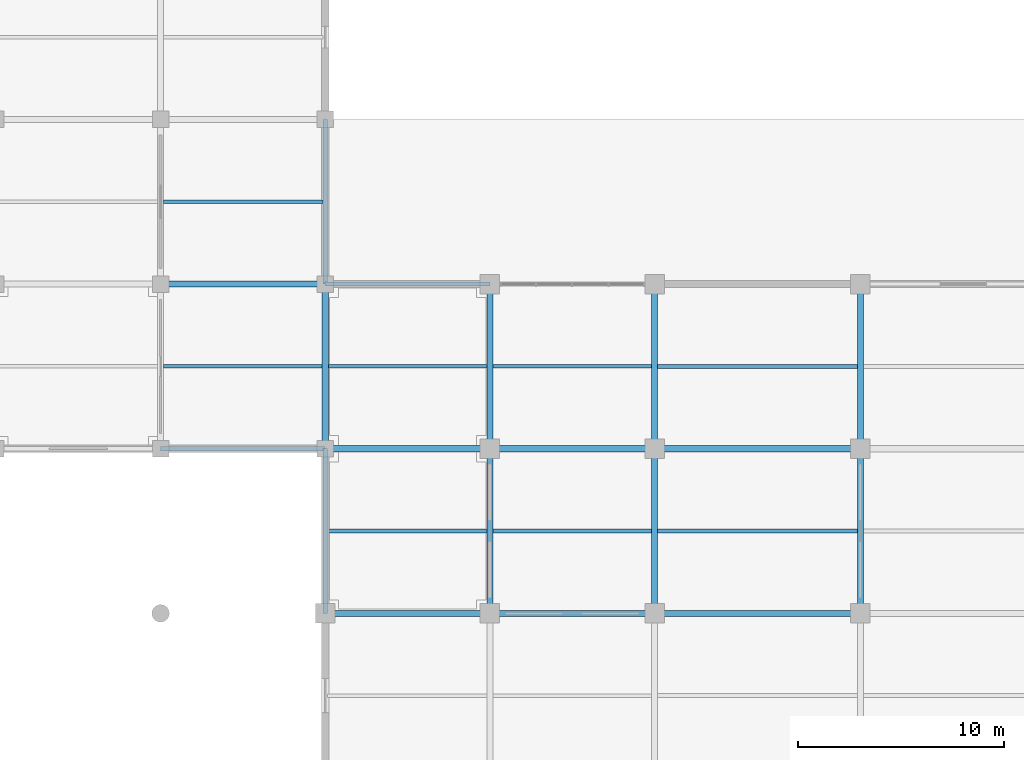
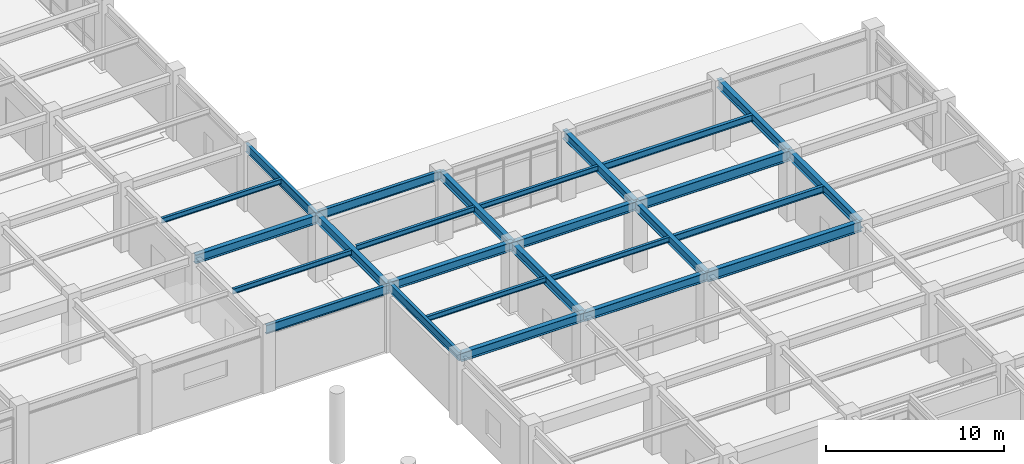
# One storey, part 50 of 109: 26 beams.
"""IFC4 building model written with IfcOpenShell, lengths in metres."""

from ifc_helpers import new_model, si_unit, direction, frame, origin, origin_2d, place, context, subcontext, project, spatial, i_section, extrude, material, material_profile, profile_set, type_object, element, save


model = new_model("IFC4")

# Units and contexts
model_context = context("Model", 3, precision=1e-05, world=origin(), true_north=direction((0.0, 1.0)))
body_context = subcontext(model_context, "Body", "Model", "MODEL_VIEW")
ifc_project = project(units=[si_unit("LENGTHUNIT", "METRE"), si_unit("AREAUNIT", "SQUARE_METRE"), si_unit("VOLUMEUNIT", "CUBIC_METRE"), si_unit("PLANEANGLEUNIT", "RADIAN"), si_unit("MASSUNIT", "GRAM", prefix="KILO")], contexts=[model_context])

# Site, building, storey
site_placement = place(None, origin())
site = spatial("IfcSite", under=ifc_project, at=site_placement, CompositionType="ELEMENT")
building_placement = place(site_placement, origin())
building = spatial("IfcBuilding", under=site, at=building_placement, Name="Haebicheon Civic Stadium", CompositionType="ELEMENT")
storey_placement = place(building_placement, frame((0.0, 0.0, 9.60009765625)))
storey = spatial("IfcBuildingStorey", under=building, at=storey_placement, Name="L03", CompositionType="ELEMENT", Elevation=9.60009765625)

# Beams
ifc_material_1 = material(Name="Steel SM355 (S355)", Category="steel")
ifc_material_profile_1 = material_profile(ifc_material_1, i_section(OverallWidth=0.300048828125, OverallDepth=0.60009765625, WebThickness=0.011962890625, FlangeThickness=0.02001953125, at=origin_2d()), Name="H-600x300x12x20")
ifc_profile_set_1 = profile_set([ifc_material_profile_1], Name="Steel SM355 (S355)")
beam_type_1 = type_object("IfcBeamType", Name="BM-ST-H600A", PredefinedType="BEAM", material=ifc_profile_set_1)
for number, where, z_axis, x_axis, name in (
    (1, (200.0, 136.0, 4.099853515625), (0.0, 1.0, 0.0), (-1.0, 0.0, 0.0), "L03 girder 26/T-U"),
    (2, (208.0, 128.0, 4.239990234375), (0.0, 1.0, 0.0), (-1.0, 0.0, 0.0), "L03 girder 27/S-T"),
    (3, (208.0, 136.0, 4.27978515625), (0.0, 1.0, 0.0), (-1.0, 0.0, 0.0), "L03 girder 27/T-U"),
    (4, (216.0, 128.0, 4.239990234375), (0.0, 1.0, 0.0), (-1.0, 0.0, 0.0), "L03 girder 28/S-T"),
    (5, (216.0, 136.0, 4.27978515625), (0.0, 1.0, 0.0), (-1.0, 0.0, 0.0), "L03 girder 28/T-U"),
    (6, (226.0, 128.0, 4.239990234375), (0.0, 1.0, 0.0), (-1.0, 0.0, 0.0), "L03 girder 29/S-T"),
    (7, (226.0, 136.0, 4.27978515625), (0.0, 1.0, 0.0), (-1.0, 0.0, 0.0), "L03 girder 29/T-U"),
    (8, (192.0, 144.0, 4.099853515625), (1.0, 0.0, 0.0), (0.0, 1.0, 0.0), "L03 beam U/25-26"),
    (9, (200.0, 128.0, 4.27978515625), (1.0, 0.0, 0.0), (0.0, 1.0, 0.0), "L03 beam S/26-27"),
    (10, (200.0, 136.0, 4.27978515625), (1.0, 0.0, 0.0), (0.0, 1.0, 0.0), "L03 beam T/26-27"),
    (11, (208.0, 128.0, 4.239990234375), (1.0, 0.0, 0.0), (0.0, 1.0, 0.0), "L03 beam S/27-28"),
    (12, (208.0, 136.0, 4.239990234375), (1.0, 0.0, 0.0), (0.0, 1.0, 0.0), "L03 beam T/27-28"),
):
    element("IfcBeam", number, at=place(storey_placement, frame(where, z_axis=z_axis, x_axis=x_axis)), inside=storey, type_object=beam_type_1, material=ifc_profile_set_1, Name=name, PredefinedType="BEAM", context=body_context, shape_type="SweptSolid", body=[
        extrude(i_section(OverallWidth=0.300048828125, OverallDepth=0.60009765625, WebThickness=0.011962890625, FlangeThickness=0.02001953125, at=origin_2d()), origin(), (0.0, 0.0, 1.0), 8.0),
    ])
ifc_material_2 = material(Name="Steel SM490", Category="steel")
ifc_material_profile_2 = material_profile(ifc_material_2, i_section(OverallWidth=0.300048828125, OverallDepth=0.699951171875, WebThickness=0.012939453125, FlangeThickness=0.02392578125, at=origin_2d()), Name="H-700x300x13x24")
ifc_profile_set_2 = profile_set([ifc_material_profile_2], Name="Steel SM490")
beam_type_2 = type_object("IfcBeamType", Name="BM-ST-H700", PredefinedType="BEAM", material=ifc_profile_set_2)
for number, where, z_axis, x_axis, name in (
    (13, (216.0, 128.0, 4.18994140625), (1.0, 0.0, 0.0), (0.0, 1.0, 0.0), "L03 beam S/28-29"),
    (14, (216.0, 136.0, 4.18994140625), (1.0, 0.0, 0.0), (0.0, 1.0, 0.0), "L03 beam T/28-29"),
):
    element("IfcBeam", number, at=place(storey_placement, frame(where, z_axis=z_axis, x_axis=x_axis)), inside=storey, type_object=beam_type_2, material=ifc_profile_set_2, Name=name, PredefinedType="BEAM", context=body_context, shape_type="SweptSolid", body=[
        extrude(i_section(OverallWidth=0.300048828125, OverallDepth=0.699951171875, WebThickness=0.012939453125, FlangeThickness=0.02392578125, at=origin_2d()), origin(), (0.0, 0.0, 1.0), 10.0),
    ])
ifc_material_3 = material(Name="Steel SM355 (S355)", Category="steel")
ifc_material_profile_3 = material_profile(ifc_material_3, i_section(OverallWidth=0.175048828125, OverallDepth=0.35009765625, WebThickness=0.007080078125, FlangeThickness=0.010986328125, at=origin_2d()), Name="H-350x175x7x11")
ifc_profile_set_3 = profile_set([ifc_material_profile_3], Name="Steel SM355 (S355)")
beam_type_3 = type_object("IfcBeamType", Name="JST-ST-H350", PredefinedType="JOIST", material=ifc_profile_set_3)
beam_placement = place(storey_placement, frame((192.14990234375, 140.0, 4.224853515625), z_axis=(1.0, 0.0, 0.0), x_axis=(0.0, 1.0, 0.0)))
element("IfcBeam", 15, at=beam_placement, inside=storey, type_object=beam_type_3, material=ifc_profile_set_3, Name="L03 secondary joist 24-17", PredefinedType="JOIST", context=body_context, shape_type="SweptSolid", body=[
    extrude(i_section(OverallWidth=0.175048828125, OverallDepth=0.35009765625, WebThickness=0.007080078125, FlangeThickness=0.010986328125, at=origin_2d()), origin(), (0.0, 0.0, 1.0), 7.7001953125),
])
for number, where, z_axis, x_axis, name in (
    (16, (192.14990234375, 148.0, 4.224853515625), (1.0, 0.0, 0.0), (0.0, 1.0, 0.0), "L03 secondary joist 24-18"),
    (17, (200.10009765625, 132.0, 4.40478515625), (1.0, 0.0, 0.0), (0.0, 1.0, 0.0), "L03 secondary joist 25-16"),
):
    element("IfcBeam", number, at=place(storey_placement, frame(where, z_axis=z_axis, x_axis=x_axis)), inside=storey, type_object=beam_type_3, material=ifc_profile_set_3, Name=name, PredefinedType="JOIST", context=body_context, shape_type="SweptSolid", body=[
        extrude(i_section(OverallWidth=0.175048828125, OverallDepth=0.35009765625, WebThickness=0.007080078125, FlangeThickness=0.010986328125, at=origin_2d()), origin(), (0.0, 0.0, 1.0), 7.75),
    ])
for number, where, z_axis, x_axis, name in (
    (18, (200.14990234375, 140.0, 4.40478515625), (1.0, 0.0, 0.0), (0.0, 1.0, 0.0), "L03 secondary joist 25-17"),
    (19, (208.14990234375, 132.0, 4.364990234375), (1.0, 0.0, 0.0), (0.0, 1.0, 0.0), "L03 secondary joist 26-16"),
    (20, (208.14990234375, 140.0, 4.40478515625), (1.0, 0.0, 0.0), (0.0, 1.0, 0.0), "L03 secondary joist 26-17"),
):
    element("IfcBeam", number, at=place(storey_placement, frame(where, z_axis=z_axis, x_axis=x_axis)), inside=storey, type_object=beam_type_3, material=ifc_profile_set_3, Name=name, PredefinedType="JOIST", context=body_context, shape_type="SweptSolid", body=[
        extrude(i_section(OverallWidth=0.175048828125, OverallDepth=0.35009765625, WebThickness=0.007080078125, FlangeThickness=0.010986328125, at=origin_2d()), origin(), (0.0, 0.0, 1.0), 7.7001953125),
    ])
ifc_material_4 = material(Name="Steel SM355 (S355)", Category="steel")
ifc_material_profile_4 = material_profile(ifc_material_4, i_section(OverallWidth=0.199951171875, OverallDepth=0.449951171875, WebThickness=0.009033203125, FlangeThickness=0.013916015625, at=origin_2d()), Name="H-450x200x9x14")
ifc_profile_set_4 = profile_set([ifc_material_profile_4], Name="Steel SM355 (S355)")
beam_type_4 = type_object("IfcBeamType", Name="JST-ST-H450", PredefinedType="JOIST", material=ifc_profile_set_4)
for number, where, z_axis, x_axis, name in (
    (21, (216.14990234375, 132.0, 4.31494140625), (1.0, 0.0, 0.0), (0.0, 1.0, 0.0), "L03 secondary joist 27-16"),
    (22, (216.14990234375, 140.0, 4.35498046875), (1.0, 0.0, 0.0), (0.0, 1.0, 0.0), "L03 secondary joist 27-17"),
):
    element("IfcBeam", number, at=place(storey_placement, frame(where, z_axis=z_axis, x_axis=x_axis)), inside=storey, type_object=beam_type_4, material=ifc_profile_set_4, Name=name, PredefinedType="JOIST", context=body_context, shape_type="SweptSolid", body=[
        extrude(i_section(OverallWidth=0.199951171875, OverallDepth=0.449951171875, WebThickness=0.009033203125, FlangeThickness=0.013916015625, at=origin_2d()), origin(), (0.0, 0.0, 1.0), 9.7001953125),
    ])
ifc_material_5 = material(Name="Steel SM355 (S355)", Category="steel")
ifc_material_profile_5 = material_profile(ifc_material_5, i_section(OverallWidth=0.199951171875, OverallDepth=0.60009765625, WebThickness=0.010986328125, FlangeThickness=0.01708984375, at=origin_2d()), Name="H-600x200x11x17")
ifc_profile_set_5 = profile_set([ifc_material_profile_5], Name="Steel SM355 (S355)")
beam_type_5 = type_object("IfcBeamType", Name="SPD-ST-H600B", PredefinedType="SPANDREL", material=ifc_profile_set_5)
for number, where, z_axis, x_axis, name in (
    (23, (200.0, 128.0, 4.27978515625), (0.0, 1.0, 0.0), (-1.0, 0.0, 0.0), "L03 girder 26/S-T"),
    (24, (200.0, 144.0, 4.099853515625), (0.0, 1.0, 0.0), (-1.0, 0.0, 0.0), "L03 girder 26/U-V"),
    (25, (192.0, 136.0, 4.099853515625), (1.0, 0.0, 0.0), (0.0, 1.0, 0.0), "L03 beam T/25-26"),
    (26, (200.0, 144.0, 4.27978515625), (1.0, 0.0, 0.0), (0.0, 1.0, 0.0), "L03 beam U/26-27"),
):
    element("IfcBeam", number, at=place(storey_placement, frame(where, z_axis=z_axis, x_axis=x_axis)), inside=storey, type_object=beam_type_5, material=ifc_profile_set_5, Name=name, PredefinedType="SPANDREL", context=body_context, shape_type="SweptSolid", body=[
        extrude(i_section(OverallWidth=0.199951171875, OverallDepth=0.60009765625, WebThickness=0.010986328125, FlangeThickness=0.01708984375, at=origin_2d()), origin(), (0.0, 0.0, 1.0), 8.0),
    ])

save(model, "model.ifc")
